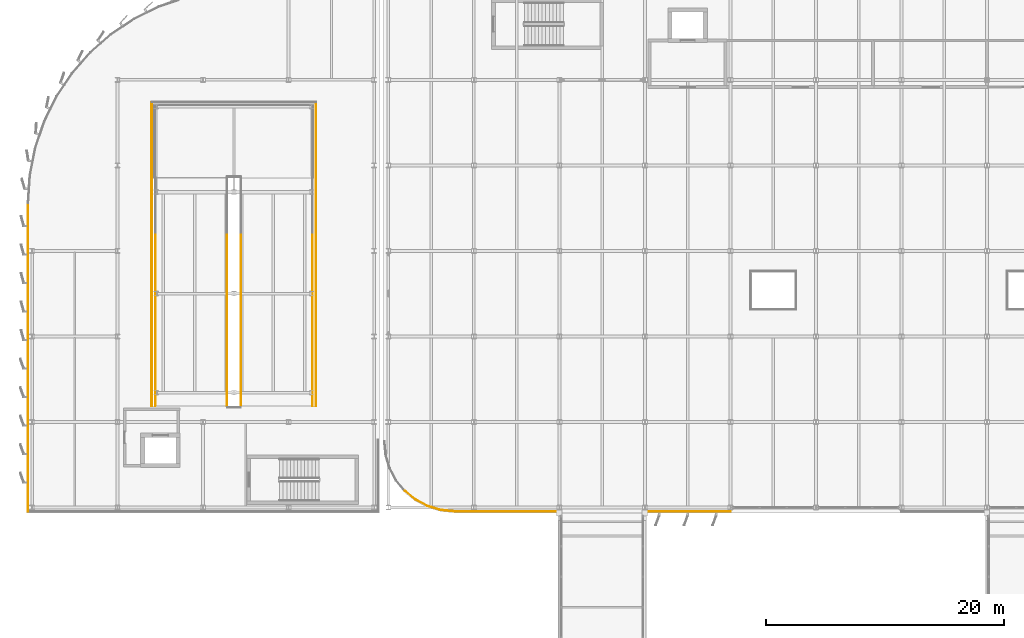
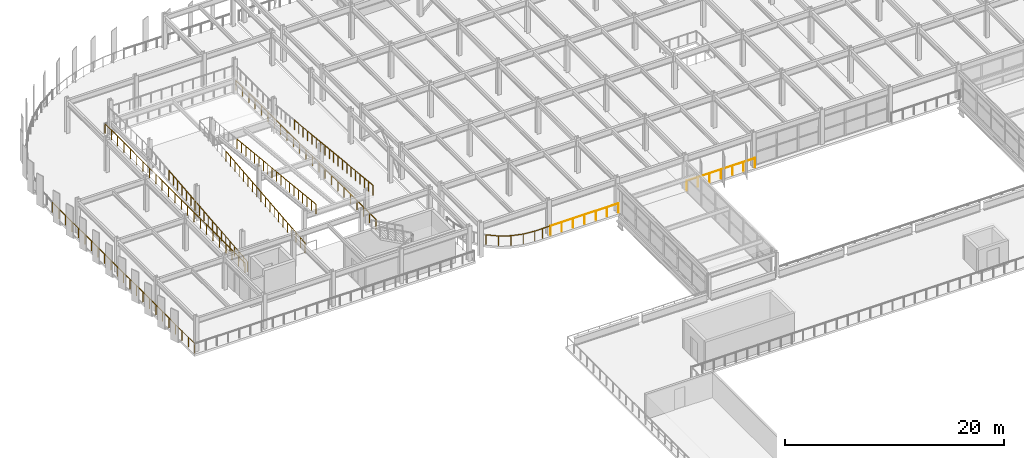
# One storey, part 79 of 93: 22 railings.
"""IFC4 building model written with IfcOpenShell, lengths in metres."""

from ifc_helpers import new_model, si_unit, direction, frame, origin, origin_2d, place, context, subcontext, project, spatial, circle, extrude, material, layer, layer_set, type_object, element, save


model = new_model("IFC4")

# Units and contexts
model_context = context("Model", 3, precision=1e-05, world=origin(), true_north=direction((0.0, 1.0)))
body_context = subcontext(model_context, "Body", "Model", "MODEL_VIEW")
ifc_project = project(units=[si_unit("LENGTHUNIT", "METRE"), si_unit("AREAUNIT", "SQUARE_METRE"), si_unit("VOLUMEUNIT", "CUBIC_METRE"), si_unit("PLANEANGLEUNIT", "RADIAN"), si_unit("MASSUNIT", "GRAM", prefix="KILO")], contexts=[model_context])

# Site, building, storey
site_placement = place(None, origin())
site = spatial("IfcSite", under=ifc_project, at=site_placement, CompositionType="ELEMENT")
building_placement = place(site_placement, origin())
building = spatial("IfcBuilding", under=site, at=building_placement, Name="Vaelcorin Mobility Hub", CompositionType="ELEMENT")
storey_placement = place(building_placement, frame((0.0, 0.0, 5.39990234375)))
storey = spatial("IfcBuildingStorey", under=building, at=storey_placement, Name="L01", CompositionType="ELEMENT", Elevation=5.39990234375)

# Railings
ifc_material = material(Name="Galvanised structural steel ASTM A36", Category="steel")
ifc_layer = layer(ifc_material, 0.070068359375)
ifc_layer_set = layer_set([ifc_layer], Name="Galvanised structural steel ASTM A36")
railing_type = type_object("IfcRailingType", Name="RL-GUARD-1100", PredefinedType="BALUSTRADE", material=ifc_layer_set)
railing_1_placement = place(storey_placement, frame((37.39208984375, 78.19189453125, 0.0)))
element("IfcRailing", 1, at=railing_1_placement, inside=storey, type_object=railing_type, Name="L01 Perimeter Guard GR-V4-L01-S-01-05", PredefinedType="BALUSTRADE", context=body_context, shape_type="SweptSolid", body=[
    extrude(circle(Radius=0.02392578125, at=origin_2d()), frame((0.0, 0.0, 1.076171875), z_axis=(0.773078698183, -0.634310118487, 0.0), x_axis=(0.634310118487, 0.773078698183, 0.0)), (0.0, 0.0, 1.0), 1.15234375),
    extrude(circle(Radius=0.02099609375, at=origin_2d()), origin(), (0.0, 0.0, 1.0), 1.052001953125),
    extrude(circle(Radius=0.02099609375, at=origin_2d()), frame((0.890869140625, -0.73095703125, 0.0)), (0.0, 0.0, 1.0), 1.052001953125),
])
railing_2_placement = place(storey_placement, frame((38.282958984375, 77.4609375, 0.0)))
element("IfcRailing", 2, at=railing_2_placement, inside=storey, type_object=railing_type, Name="L01 Perimeter Guard GR-V4-L01-S-01-06", PredefinedType="BALUSTRADE", context=body_context, shape_type="SweptSolid", body=[
    extrude(circle(Radius=0.02392578125, at=origin_2d()), frame((0.0, 0.0, 1.076171875), z_axis=(0.882165297003, -0.470939899312, 0.0), x_axis=(0.470939899312, 0.882165297003, 0.0)), (0.0, 0.0, 1.0), 1.15283203125),
    extrude(circle(Radius=0.02099609375, at=origin_2d()), origin(), (0.0, 0.0, 1.0), 1.052001953125),
    extrude(circle(Radius=0.02099609375, at=origin_2d()), frame((1.01708984375, -0.54296875, 0.0)), (0.0, 0.0, 1.0), 1.052001953125),
])
railing_3_placement = place(storey_placement, frame((39.300048828125, 76.91796875, 0.0)))
element("IfcRailing", 3, at=railing_3_placement, inside=storey, type_object=railing_type, Name="L01 Perimeter Guard GR-V4-L01-S-01-07", PredefinedType="BALUSTRADE", context=body_context, shape_type="SweptSolid", body=[
    extrude(circle(Radius=0.02392578125, at=origin_2d()), frame((0.0, 0.0, 1.076171875), z_axis=(0.956853241075, -0.290571634961, 0.0), x_axis=(0.290571634961, 0.956853241075, 0.0)), (0.0, 0.0, 1.0), 1.15283203125),
    extrude(circle(Radius=0.02099609375, at=origin_2d()), origin(), (0.0, 0.0, 1.0), 1.052001953125),
    extrude(circle(Radius=0.02099609375, at=origin_2d()), frame((1.10302734375, -0.3349609375, 0.0)), (0.0, 0.0, 1.0), 1.052001953125),
])
railing_4_placement = place(storey_placement, frame((40.403076171875, 76.5830078125, 0.0)))
element("IfcRailing", 4, at=railing_4_placement, inside=storey, type_object=railing_type, Name="L01 Perimeter Guard GR-V4-L01-S-01-08", PredefinedType="BALUSTRADE", context=body_context, shape_type="SweptSolid", body=[
    extrude(circle(Radius=0.02392578125, at=origin_2d()), frame((0.0, 0.0, 1.076171875), z_axis=(0.995178786561, -0.098077432562, 0.0), x_axis=(0.098077432562, 0.995178786561, 0.0)), (0.0, 0.0, 1.0), 1.152587890625),
    extrude(circle(Radius=0.02099609375, at=origin_2d()), origin(), (0.0, 0.0, 1.0), 1.052001953125),
    extrude(circle(Radius=0.02099609375, at=origin_2d()), frame((1.14697265625, -0.113037109375, 0.0)), (0.0, 0.0, 1.0), 1.052001953125),
])
railing_5_placement = place(storey_placement, frame((41.550048828125, 76.469970703125, 0.0)))
element("IfcRailing", 5, at=railing_5_placement, inside=storey, type_object=railing_type, Name="L01 Perimeter Guard GR-V4-L01-S-01-09", PredefinedType="BALUSTRADE", context=body_context, shape_type="SweptSolid", body=[
    extrude(circle(Radius=0.02392578125, at=origin_2d()), frame((0.0, 0.0, 1.076171875), z_axis=(1.0, 0.0, 0.0), x_axis=(0.0, 1.0, 0.0)), (0.0, 0.0, 1.0), 1.64990234375),
    extrude(circle(Radius=0.02099609375, at=origin_2d()), origin(), (0.0, 0.0, 1.0), 1.052001953125),
    extrude(circle(Radius=0.02099609375, at=origin_2d()), frame((0.824951171875, 0.0, 0.0)), (0.0, 0.0, 1.0), 1.052001953125),
    extrude(circle(Radius=0.02099609375, at=origin_2d()), frame((1.64990234375, 0.0, 0.0)), (0.0, 0.0, 1.0), 1.052001953125),
])
for number, where, name in (
    (6, (43.199951171875, 76.469970703125, 0.0), "L01 Perimeter Guard GR-V4-L01-S-02-01"),
    (7, (57.60009765625, 76.469970703125, 0.0), "L01 Perimeter Guard GR-V4-L01-S-04-01"),
):
    element("IfcRailing", number, at=place(storey_placement, frame(where)), inside=storey, type_object=railing_type, Name=name, PredefinedType="BALUSTRADE", context=body_context, shape_type="SweptSolid", body=[
        extrude(circle(Radius=0.02392578125, at=origin_2d()), frame((0.0, 0.0, 1.076171875), z_axis=(1.0, 0.0, 0.0), x_axis=(0.0, 1.0, 0.0)), (0.0, 0.0, 1.0), 7.199951171875),
        extrude(circle(Radius=0.02099609375, at=origin_2d()), origin(), (0.0, 0.0, 1.0), 1.052001953125),
        extrude(circle(Radius=0.02099609375, at=origin_2d()), frame((1.199951171875, 0.0, 0.0)), (0.0, 0.0, 1.0), 1.052001953125),
        extrude(circle(Radius=0.02099609375, at=origin_2d()), frame((2.39990234375, 0.0, 0.0)), (0.0, 0.0, 1.0), 1.052001953125),
        extrude(circle(Radius=0.02099609375, at=origin_2d()), frame((3.60009765625, 0.0, 0.0)), (0.0, 0.0, 1.0), 1.052001953125),
        extrude(circle(Radius=0.02099609375, at=origin_2d()), frame((4.800048828125, 0.0, 0.0)), (0.0, 0.0, 1.0), 1.052001953125),
        extrude(circle(Radius=0.02099609375, at=origin_2d()), frame((6.0, 0.0, 0.0)), (0.0, 0.0, 1.0), 1.052001953125),
        extrude(circle(Radius=0.02099609375, at=origin_2d()), frame((7.199951171875, 0.0, 0.0)), (0.0, 0.0, 1.0), 1.052001953125),
    ])
railing_6_placement = place(storey_placement, frame((16.080078125, 85.340087890625, 0.0)))
element("IfcRailing", 8, at=railing_6_placement, inside=storey, type_object=railing_type, Name="L01 Perimeter Guard GR-V2W-L01-WELL-01", PredefinedType="BALUSTRADE", context=body_context, shape_type="SweptSolid", body=[
    extrude(circle(Radius=0.02392578125, at=origin_2d()), frame((0.0, 0.0, 1.076171875), z_axis=(0.0, 1.0, 0.0), x_axis=(-1.0, 0.0, 0.0)), (0.0, 0.0, 1.0), 25.579833984375),
    extrude(circle(Radius=0.02099609375, at=origin_2d()), origin(), (0.0, 0.0, 1.0), 1.052001953125),
    extrude(circle(Radius=0.02099609375, at=origin_2d()), frame((0.0, 1.16259765625, 0.0)), (0.0, 0.0, 1.0), 1.052001953125),
    extrude(circle(Radius=0.02099609375, at=origin_2d()), frame((0.0, 2.325439453125, 0.0)), (0.0, 0.0, 1.0), 1.052001953125),
    extrude(circle(Radius=0.02099609375, at=origin_2d()), frame((0.0, 3.488037109375, 0.0)), (0.0, 0.0, 1.0), 1.052001953125),
    extrude(circle(Radius=0.02099609375, at=origin_2d()), frame((0.0, 4.65087890625, 0.0)), (0.0, 0.0, 1.0), 1.052001953125),
    extrude(circle(Radius=0.02099609375, at=origin_2d()), frame((0.0, 5.8134765625, 0.0)), (0.0, 0.0, 1.0), 1.052001953125),
    extrude(circle(Radius=0.02099609375, at=origin_2d()), frame((0.0, 6.976318359375, 0.0)), (0.0, 0.0, 1.0), 1.052001953125),
    extrude(circle(Radius=0.02099609375, at=origin_2d()), frame((0.0, 8.13916015625, 0.0)), (0.0, 0.0, 1.0), 1.052001953125),
    extrude(circle(Radius=0.02099609375, at=origin_2d()), frame((0.0, 9.3017578125, 0.0)), (0.0, 0.0, 1.0), 1.052001953125),
    extrude(circle(Radius=0.02099609375, at=origin_2d()), frame((0.0, 10.46435546875, 0.0)), (0.0, 0.0, 1.0), 1.052001953125),
    extrude(circle(Radius=0.02099609375, at=origin_2d()), frame((0.0, 11.627197265625, 0.0)), (0.0, 0.0, 1.0), 1.052001953125),
    extrude(circle(Radius=0.02099609375, at=origin_2d()), frame((0.0, 12.7900390625, 0.0)), (0.0, 0.0, 1.0), 1.052001953125),
    extrude(circle(Radius=0.02099609375, at=origin_2d()), frame((0.0, 13.95263671875, 0.0)), (0.0, 0.0, 1.0), 1.052001953125),
    extrude(circle(Radius=0.02099609375, at=origin_2d()), frame((0.0, 15.115234375, 0.0)), (0.0, 0.0, 1.0), 1.052001953125),
    extrude(circle(Radius=0.02099609375, at=origin_2d()), frame((0.0, 16.278076171875, 0.0)), (0.0, 0.0, 1.0), 1.052001953125),
    extrude(circle(Radius=0.02099609375, at=origin_2d()), frame((0.0, 17.44091796875, 0.0)), (0.0, 0.0, 1.0), 1.052001953125),
    extrude(circle(Radius=0.02099609375, at=origin_2d()), frame((0.0, 18.603515625, 0.0)), (0.0, 0.0, 1.0), 1.052001953125),
    extrude(circle(Radius=0.02099609375, at=origin_2d()), frame((0.0, 19.76611328125, 0.0)), (0.0, 0.0, 1.0), 1.052001953125),
    extrude(circle(Radius=0.02099609375, at=origin_2d()), frame((0.0, 20.928955078125, 0.0)), (0.0, 0.0, 1.0), 1.052001953125),
    extrude(circle(Radius=0.02099609375, at=origin_2d()), frame((0.0, 22.091796875, 0.0)), (0.0, 0.0, 1.0), 1.052001953125),
    extrude(circle(Radius=0.02099609375, at=origin_2d()), frame((0.0, 23.25439453125, 0.0)), (0.0, 0.0, 1.0), 1.052001953125),
    extrude(circle(Radius=0.02099609375, at=origin_2d()), frame((0.0, 24.4169921875, 0.0)), (0.0, 0.0, 1.0), 1.052001953125),
    extrude(circle(Radius=0.02099609375, at=origin_2d()), frame((0.0, 25.579833984375, 0.0)), (0.0, 0.0, 1.0), 1.052001953125),
])
railing_7_placement = place(storey_placement, frame((29.919921875, 110.919921875, 0.0)))
element("IfcRailing", 9, at=railing_7_placement, inside=storey, type_object=railing_type, Name="L01 Perimeter Guard GR-V2W-L01-WELL-03", PredefinedType="BALUSTRADE", context=body_context, shape_type="SweptSolid", body=[
    extrude(circle(Radius=0.02392578125, at=origin_2d()), frame((0.0, 0.0, 1.076171875), z_axis=(0.0, -1.0, 0.0), x_axis=(1.0, 0.0, 0.0)), (0.0, 0.0, 1.0), 25.579833984375),
    extrude(circle(Radius=0.02099609375, at=origin_2d()), origin(), (0.0, 0.0, 1.0), 1.052001953125),
    extrude(circle(Radius=0.02099609375, at=origin_2d()), frame((0.0, -1.16259765625, 0.0)), (0.0, 0.0, 1.0), 1.052001953125),
    extrude(circle(Radius=0.02099609375, at=origin_2d()), frame((0.0, -2.325439453125, 0.0)), (0.0, 0.0, 1.0), 1.052001953125),
    extrude(circle(Radius=0.02099609375, at=origin_2d()), frame((0.0, -3.488037109375, 0.0)), (0.0, 0.0, 1.0), 1.052001953125),
    extrude(circle(Radius=0.02099609375, at=origin_2d()), frame((0.0, -4.65087890625, 0.0)), (0.0, 0.0, 1.0), 1.052001953125),
    extrude(circle(Radius=0.02099609375, at=origin_2d()), frame((0.0, -5.8134765625, 0.0)), (0.0, 0.0, 1.0), 1.052001953125),
    extrude(circle(Radius=0.02099609375, at=origin_2d()), frame((0.0, -6.976318359375, 0.0)), (0.0, 0.0, 1.0), 1.052001953125),
    extrude(circle(Radius=0.02099609375, at=origin_2d()), frame((0.0, -8.13916015625, 0.0)), (0.0, 0.0, 1.0), 1.052001953125),
    extrude(circle(Radius=0.02099609375, at=origin_2d()), frame((0.0, -9.3017578125, 0.0)), (0.0, 0.0, 1.0), 1.052001953125),
    extrude(circle(Radius=0.02099609375, at=origin_2d()), frame((0.0, -10.46435546875, 0.0)), (0.0, 0.0, 1.0), 1.052001953125),
    extrude(circle(Radius=0.02099609375, at=origin_2d()), frame((0.0, -11.627197265625, 0.0)), (0.0, 0.0, 1.0), 1.052001953125),
    extrude(circle(Radius=0.02099609375, at=origin_2d()), frame((0.0, -12.7900390625, 0.0)), (0.0, 0.0, 1.0), 1.052001953125),
    extrude(circle(Radius=0.02099609375, at=origin_2d()), frame((0.0, -13.95263671875, 0.0)), (0.0, 0.0, 1.0), 1.052001953125),
    extrude(circle(Radius=0.02099609375, at=origin_2d()), frame((0.0, -15.115234375, 0.0)), (0.0, 0.0, 1.0), 1.052001953125),
    extrude(circle(Radius=0.02099609375, at=origin_2d()), frame((0.0, -16.278076171875, 0.0)), (0.0, 0.0, 1.0), 1.052001953125),
    extrude(circle(Radius=0.02099609375, at=origin_2d()), frame((0.0, -17.44091796875, 0.0)), (0.0, 0.0, 1.0), 1.052001953125),
    extrude(circle(Radius=0.02099609375, at=origin_2d()), frame((0.0, -18.603515625, 0.0)), (0.0, 0.0, 1.0), 1.052001953125),
    extrude(circle(Radius=0.02099609375, at=origin_2d()), frame((0.0, -19.76611328125, 0.0)), (0.0, 0.0, 1.0), 1.052001953125),
    extrude(circle(Radius=0.02099609375, at=origin_2d()), frame((0.0, -20.928955078125, 0.0)), (0.0, 0.0, 1.0), 1.052001953125),
    extrude(circle(Radius=0.02099609375, at=origin_2d()), frame((0.0, -22.091796875, 0.0)), (0.0, 0.0, 1.0), 1.052001953125),
    extrude(circle(Radius=0.02099609375, at=origin_2d()), frame((0.0, -23.25439453125, 0.0)), (0.0, 0.0, 1.0), 1.052001953125),
    extrude(circle(Radius=0.02099609375, at=origin_2d()), frame((0.0, -24.4169921875, 0.0)), (0.0, 0.0, 1.0), 1.052001953125),
    extrude(circle(Radius=0.02099609375, at=origin_2d()), frame((0.0, -25.579833984375, 0.0)), (0.0, 0.0, 1.0), 1.052001953125),
])
railing_8_placement = place(storey_placement, frame((16.3798828125, 85.360107421875, 0.0)))
element("IfcRailing", 10, at=railing_8_placement, inside=storey, type_object=railing_type, Name="L01 Ramp Guard GR-V2W-L01-FL1-W-01", PredefinedType="BALUSTRADE", context=body_context, shape_type="SweptSolid", body=[
    extrude(circle(Radius=0.02392578125, at=origin_2d()), frame((0.0, 0.0, 1.076171875), z_axis=(0.0, 0.994860105467, 0.10125892825), x_axis=(-1.0, 0.0, 0.0)), (0.0, 0.0, 1.0), 4.819580078125),
    extrude(circle(Radius=0.02099609375, at=origin_2d()), origin(), (0.0, 0.0, 1.0), 1.052001953125),
    extrude(circle(Radius=0.02099609375, at=origin_2d()), frame((0.0, 0.799072265625, 0.081298828125)), (0.0, 0.0, 1.0), 1.052001953125),
    extrude(circle(Radius=0.02099609375, at=origin_2d()), frame((0.0, 1.598388671875, 0.16259765625)), (0.0, 0.0, 1.0), 1.052001953125),
    extrude(circle(Radius=0.02099609375, at=origin_2d()), frame((0.0, 2.3974609375, 0.244140625)), (0.0, 0.0, 1.0), 1.052001953125),
    extrude(circle(Radius=0.02099609375, at=origin_2d()), frame((0.0, 3.196533203125, 0.325439453125)), (0.0, 0.0, 1.0), 1.052001953125),
    extrude(circle(Radius=0.02099609375, at=origin_2d()), frame((0.0, 3.995849609375, 0.40673828125)), (0.0, 0.0, 1.0), 1.052001953125),
    extrude(circle(Radius=0.02099609375, at=origin_2d()), frame((0.0, 4.794921875, 0.488037109375)), (0.0, 0.0, 1.0), 1.052001953125),
])
railing_9_placement = place(storey_placement, frame((16.3798828125, 90.155029296875, 0.488037109375)))
element("IfcRailing", 11, at=railing_9_placement, inside=storey, type_object=railing_type, Name="L01 Ramp Guard GR-V2W-L01-FL1-W-02", PredefinedType="BALUSTRADE", context=body_context, shape_type="SweptSolid", body=[
    extrude(circle(Radius=0.02392578125, at=origin_2d()), frame((0.0, 0.0, 1.076171875), z_axis=(0.0, 0.994880497217, 0.101058380445), x_axis=(-1.0, 0.0, 0.0)), (0.0, 0.0, 1.0), 4.819580078125),
    extrude(circle(Radius=0.02099609375, at=origin_2d()), origin(), (0.0, 0.0, 1.0), 1.052001953125),
    extrude(circle(Radius=0.02099609375, at=origin_2d()), frame((0.0, 0.799072265625, 0.0810546875)), (0.0, 0.0, 1.0), 1.052001953125),
    extrude(circle(Radius=0.02099609375, at=origin_2d()), frame((0.0, 1.598388671875, 0.162353515625)), (0.0, 0.0, 1.0), 1.052001953125),
    extrude(circle(Radius=0.02099609375, at=origin_2d()), frame((0.0, 2.3974609375, 0.24365234375)), (0.0, 0.0, 1.0), 1.052001953125),
    extrude(circle(Radius=0.02099609375, at=origin_2d()), frame((0.0, 3.196533203125, 0.32470703125)), (0.0, 0.0, 1.0), 1.052001953125),
    extrude(circle(Radius=0.02099609375, at=origin_2d()), frame((0.0, 3.995849609375, 0.40576171875)), (0.0, 0.0, 1.0), 1.052001953125),
    extrude(circle(Radius=0.02099609375, at=origin_2d()), frame((0.0, 4.794921875, 0.487060546875)), (0.0, 0.0, 1.0), 1.052001953125),
])
railing_10_placement = place(storey_placement, frame((16.3798828125, 94.949951171875, 0.97509765625)))
element("IfcRailing", 12, at=railing_10_placement, inside=storey, type_object=railing_type, Name="L01 Ramp Guard GR-V2W-L01-FL1-W-03", PredefinedType="BALUSTRADE", context=body_context, shape_type="SweptSolid", body=[
    extrude(circle(Radius=0.02392578125, at=origin_2d()), frame((0.0, 0.0, 1.076171875), z_axis=(0.0, 0.994881014515, 0.101053287712), x_axis=(-1.0, 0.0, 0.0)), (0.0, 0.0, 1.0), 4.81982421875),
    extrude(circle(Radius=0.02099609375, at=origin_2d()), origin(), (0.0, 0.0, 1.0), 1.052001953125),
    extrude(circle(Radius=0.02099609375, at=origin_2d()), frame((0.0, 0.79931640625, 0.0810546875)), (0.0, 0.0, 1.0), 1.052001953125),
    extrude(circle(Radius=0.02099609375, at=origin_2d()), frame((0.0, 1.598388671875, 0.162353515625)), (0.0, 0.0, 1.0), 1.052001953125),
    extrude(circle(Radius=0.02099609375, at=origin_2d()), frame((0.0, 2.3974609375, 0.24365234375)), (0.0, 0.0, 1.0), 1.052001953125),
    extrude(circle(Radius=0.02099609375, at=origin_2d()), frame((0.0, 3.19677734375, 0.32470703125)), (0.0, 0.0, 1.0), 1.052001953125),
    extrude(circle(Radius=0.02099609375, at=origin_2d()), frame((0.0, 3.99609375, 0.40576171875)), (0.0, 0.0, 1.0), 1.052001953125),
    extrude(circle(Radius=0.02099609375, at=origin_2d()), frame((0.0, 4.795166015625, 0.487060546875)), (0.0, 0.0, 1.0), 1.052001953125),
])
railing_11_placement = place(storey_placement, frame((22.419921875, 85.360107421875, 0.0)))
element("IfcRailing", 13, at=railing_11_placement, inside=storey, type_object=railing_type, Name="L01 Ramp Guard GR-V2W-L01-FL1-E-01", PredefinedType="BALUSTRADE", context=body_context, shape_type="SweptSolid", body=[
    extrude(circle(Radius=0.02392578125, at=origin_2d()), frame((0.0, 0.0, 1.076171875), z_axis=(0.0, 0.994860105467, 0.10125892825), x_axis=(-1.0, 0.0, 0.0)), (0.0, 0.0, 1.0), 4.819580078125),
    extrude(circle(Radius=0.02099609375, at=origin_2d()), origin(), (0.0, 0.0, 1.0), 1.052001953125),
    extrude(circle(Radius=0.02099609375, at=origin_2d()), frame((0.0, 0.799072265625, 0.081298828125)), (0.0, 0.0, 1.0), 1.052001953125),
    extrude(circle(Radius=0.02099609375, at=origin_2d()), frame((0.0, 1.598388671875, 0.16259765625)), (0.0, 0.0, 1.0), 1.052001953125),
    extrude(circle(Radius=0.02099609375, at=origin_2d()), frame((0.0, 2.3974609375, 0.244140625)), (0.0, 0.0, 1.0), 1.052001953125),
    extrude(circle(Radius=0.02099609375, at=origin_2d()), frame((0.0, 3.196533203125, 0.325439453125)), (0.0, 0.0, 1.0), 1.052001953125),
    extrude(circle(Radius=0.02099609375, at=origin_2d()), frame((0.0, 3.995849609375, 0.40673828125)), (0.0, 0.0, 1.0), 1.052001953125),
    extrude(circle(Radius=0.02099609375, at=origin_2d()), frame((0.0, 4.794921875, 0.488037109375)), (0.0, 0.0, 1.0), 1.052001953125),
])
railing_12_placement = place(storey_placement, frame((22.419921875, 90.155029296875, 0.488037109375)))
element("IfcRailing", 14, at=railing_12_placement, inside=storey, type_object=railing_type, Name="L01 Ramp Guard GR-V2W-L01-FL1-E-02", PredefinedType="BALUSTRADE", context=body_context, shape_type="SweptSolid", body=[
    extrude(circle(Radius=0.02392578125, at=origin_2d()), frame((0.0, 0.0, 1.076171875), z_axis=(0.0, 0.994880497217, 0.101058380445), x_axis=(-1.0, 0.0, 0.0)), (0.0, 0.0, 1.0), 4.819580078125),
    extrude(circle(Radius=0.02099609375, at=origin_2d()), origin(), (0.0, 0.0, 1.0), 1.052001953125),
    extrude(circle(Radius=0.02099609375, at=origin_2d()), frame((0.0, 0.799072265625, 0.0810546875)), (0.0, 0.0, 1.0), 1.052001953125),
    extrude(circle(Radius=0.02099609375, at=origin_2d()), frame((0.0, 1.598388671875, 0.162353515625)), (0.0, 0.0, 1.0), 1.052001953125),
    extrude(circle(Radius=0.02099609375, at=origin_2d()), frame((0.0, 2.3974609375, 0.24365234375)), (0.0, 0.0, 1.0), 1.052001953125),
    extrude(circle(Radius=0.02099609375, at=origin_2d()), frame((0.0, 3.196533203125, 0.32470703125)), (0.0, 0.0, 1.0), 1.052001953125),
    extrude(circle(Radius=0.02099609375, at=origin_2d()), frame((0.0, 3.995849609375, 0.40576171875)), (0.0, 0.0, 1.0), 1.052001953125),
    extrude(circle(Radius=0.02099609375, at=origin_2d()), frame((0.0, 4.794921875, 0.487060546875)), (0.0, 0.0, 1.0), 1.052001953125),
])
railing_13_placement = place(storey_placement, frame((22.419921875, 94.949951171875, 0.97509765625)))
element("IfcRailing", 15, at=railing_13_placement, inside=storey, type_object=railing_type, Name="L01 Ramp Guard GR-V2W-L01-FL1-E-03", PredefinedType="BALUSTRADE", context=body_context, shape_type="SweptSolid", body=[
    extrude(circle(Radius=0.02392578125, at=origin_2d()), frame((0.0, 0.0, 1.076171875), z_axis=(0.0, 0.994881014515, 0.101053287712), x_axis=(-1.0, 0.0, 0.0)), (0.0, 0.0, 1.0), 4.81982421875),
    extrude(circle(Radius=0.02099609375, at=origin_2d()), origin(), (0.0, 0.0, 1.0), 1.052001953125),
    extrude(circle(Radius=0.02099609375, at=origin_2d()), frame((0.0, 0.79931640625, 0.0810546875)), (0.0, 0.0, 1.0), 1.052001953125),
    extrude(circle(Radius=0.02099609375, at=origin_2d()), frame((0.0, 1.598388671875, 0.162353515625)), (0.0, 0.0, 1.0), 1.052001953125),
    extrude(circle(Radius=0.02099609375, at=origin_2d()), frame((0.0, 2.3974609375, 0.24365234375)), (0.0, 0.0, 1.0), 1.052001953125),
    extrude(circle(Radius=0.02099609375, at=origin_2d()), frame((0.0, 3.19677734375, 0.32470703125)), (0.0, 0.0, 1.0), 1.052001953125),
    extrude(circle(Radius=0.02099609375, at=origin_2d()), frame((0.0, 3.99609375, 0.40576171875)), (0.0, 0.0, 1.0), 1.052001953125),
    extrude(circle(Radius=0.02099609375, at=origin_2d()), frame((0.0, 4.795166015625, 0.487060546875)), (0.0, 0.0, 1.0), 1.052001953125),
])
railing_14_placement = place(storey_placement, frame((23.580078125, 99.7451171875, 2.43798828125)))
element("IfcRailing", 16, at=railing_14_placement, inside=storey, type_object=railing_type, Name="L01 Ramp Guard GR-V2W-L01-FL2-W-02", PredefinedType="BALUSTRADE", context=body_context, shape_type="SweptSolid", body=[
    extrude(circle(Radius=0.02392578125, at=origin_2d()), frame((0.0, 0.0, 1.076171875), z_axis=(0.0, -0.994881014515, 0.101053287712), x_axis=(1.0, 0.0, 0.0)), (0.0, 0.0, 1.0), 4.81982421875),
    extrude(circle(Radius=0.02099609375, at=origin_2d()), origin(), (0.0, 0.0, 1.0), 1.052001953125),
    extrude(circle(Radius=0.02099609375, at=origin_2d()), frame((0.0, -0.79931640625, 0.0810546875)), (0.0, 0.0, 1.0), 1.052001953125),
    extrude(circle(Radius=0.02099609375, at=origin_2d()), frame((0.0, -1.598388671875, 0.162353515625)), (0.0, 0.0, 1.0), 1.052001953125),
    extrude(circle(Radius=0.02099609375, at=origin_2d()), frame((0.0, -2.3974609375, 0.24365234375)), (0.0, 0.0, 1.0), 1.052001953125),
    extrude(circle(Radius=0.02099609375, at=origin_2d()), frame((0.0, -3.19677734375, 0.32470703125)), (0.0, 0.0, 1.0), 1.052001953125),
    extrude(circle(Radius=0.02099609375, at=origin_2d()), frame((0.0, -3.99609375, 0.40576171875)), (0.0, 0.0, 1.0), 1.052001953125),
    extrude(circle(Radius=0.02099609375, at=origin_2d()), frame((0.0, -4.795166015625, 0.487060546875)), (0.0, 0.0, 1.0), 1.052001953125),
])
railing_15_placement = place(storey_placement, frame((23.580078125, 94.949951171875, 2.925048828125)))
element("IfcRailing", 17, at=railing_15_placement, inside=storey, type_object=railing_type, Name="L01 Ramp Guard GR-V2W-L01-FL2-W-03", PredefinedType="BALUSTRADE", context=body_context, shape_type="SweptSolid", body=[
    extrude(circle(Radius=0.02392578125, at=origin_2d()), frame((0.0, 0.0, 1.076171875), z_axis=(0.0, -0.994880497217, 0.101058380445), x_axis=(1.0, 0.0, 0.0)), (0.0, 0.0, 1.0), 4.819580078125),
    extrude(circle(Radius=0.02099609375, at=origin_2d()), origin(), (0.0, 0.0, 1.0), 1.052001953125),
    extrude(circle(Radius=0.02099609375, at=origin_2d()), frame((0.0, -0.799072265625, 0.0810546875)), (0.0, 0.0, 1.0), 1.052001953125),
    extrude(circle(Radius=0.02099609375, at=origin_2d()), frame((0.0, -1.598388671875, 0.162353515625)), (0.0, 0.0, 1.0), 1.052001953125),
    extrude(circle(Radius=0.02099609375, at=origin_2d()), frame((0.0, -2.3974609375, 0.24365234375)), (0.0, 0.0, 1.0), 1.052001953125),
    extrude(circle(Radius=0.02099609375, at=origin_2d()), frame((0.0, -3.196533203125, 0.32470703125)), (0.0, 0.0, 1.0), 1.052001953125),
    extrude(circle(Radius=0.02099609375, at=origin_2d()), frame((0.0, -3.995849609375, 0.40576171875)), (0.0, 0.0, 1.0), 1.052001953125),
    extrude(circle(Radius=0.02099609375, at=origin_2d()), frame((0.0, -4.794921875, 0.487060546875)), (0.0, 0.0, 1.0), 1.052001953125),
])
railing_16_placement = place(storey_placement, frame((23.580078125, 90.155029296875, 3.412109375)))
element("IfcRailing", 18, at=railing_16_placement, inside=storey, type_object=railing_type, Name="L01 Ramp Guard GR-V2W-L01-FL2-W-04", PredefinedType="BALUSTRADE", context=body_context, shape_type="SweptSolid", body=[
    extrude(circle(Radius=0.02392578125, at=origin_2d()), frame((0.0, 0.0, 1.076171875), z_axis=(0.0, -0.994860105467, 0.10125892825), x_axis=(1.0, 0.0, 0.0)), (0.0, 0.0, 1.0), 4.819580078125),
    extrude(circle(Radius=0.02099609375, at=origin_2d()), origin(), (0.0, 0.0, 1.0), 1.052001953125),
    extrude(circle(Radius=0.02099609375, at=origin_2d()), frame((0.0, -0.799072265625, 0.081298828125)), (0.0, 0.0, 1.0), 1.052001953125),
    extrude(circle(Radius=0.02099609375, at=origin_2d()), frame((0.0, -1.598388671875, 0.16259765625)), (0.0, 0.0, 1.0), 1.052001953125),
    extrude(circle(Radius=0.02099609375, at=origin_2d()), frame((0.0, -2.3974609375, 0.244140625)), (0.0, 0.0, 1.0), 1.052001953125),
    extrude(circle(Radius=0.02099609375, at=origin_2d()), frame((0.0, -3.196533203125, 0.325439453125)), (0.0, 0.0, 1.0), 1.052001953125),
    extrude(circle(Radius=0.02099609375, at=origin_2d()), frame((0.0, -3.995849609375, 0.40673828125)), (0.0, 0.0, 1.0), 1.052001953125),
    extrude(circle(Radius=0.02099609375, at=origin_2d()), frame((0.0, -4.794921875, 0.488037109375)), (0.0, 0.0, 1.0), 1.052001953125),
])
railing_17_placement = place(storey_placement, frame((29.6201171875, 99.7451171875, 2.43798828125)))
element("IfcRailing", 19, at=railing_17_placement, inside=storey, type_object=railing_type, Name="L01 Ramp Guard GR-V2W-L01-FL2-E-02", PredefinedType="BALUSTRADE", context=body_context, shape_type="SweptSolid", body=[
    extrude(circle(Radius=0.02392578125, at=origin_2d()), frame((0.0, 0.0, 1.076171875), z_axis=(0.0, -0.994881014515, 0.101053287712), x_axis=(1.0, 0.0, 0.0)), (0.0, 0.0, 1.0), 4.81982421875),
    extrude(circle(Radius=0.02099609375, at=origin_2d()), origin(), (0.0, 0.0, 1.0), 1.052001953125),
    extrude(circle(Radius=0.02099609375, at=origin_2d()), frame((0.0, -0.79931640625, 0.0810546875)), (0.0, 0.0, 1.0), 1.052001953125),
    extrude(circle(Radius=0.02099609375, at=origin_2d()), frame((0.0, -1.598388671875, 0.162353515625)), (0.0, 0.0, 1.0), 1.052001953125),
    extrude(circle(Radius=0.02099609375, at=origin_2d()), frame((0.0, -2.3974609375, 0.24365234375)), (0.0, 0.0, 1.0), 1.052001953125),
    extrude(circle(Radius=0.02099609375, at=origin_2d()), frame((0.0, -3.19677734375, 0.32470703125)), (0.0, 0.0, 1.0), 1.052001953125),
    extrude(circle(Radius=0.02099609375, at=origin_2d()), frame((0.0, -3.99609375, 0.40576171875)), (0.0, 0.0, 1.0), 1.052001953125),
    extrude(circle(Radius=0.02099609375, at=origin_2d()), frame((0.0, -4.795166015625, 0.487060546875)), (0.0, 0.0, 1.0), 1.052001953125),
])
railing_18_placement = place(storey_placement, frame((29.6201171875, 94.949951171875, 2.925048828125)))
element("IfcRailing", 20, at=railing_18_placement, inside=storey, type_object=railing_type, Name="L01 Ramp Guard GR-V2W-L01-FL2-E-03", PredefinedType="BALUSTRADE", context=body_context, shape_type="SweptSolid", body=[
    extrude(circle(Radius=0.02392578125, at=origin_2d()), frame((0.0, 0.0, 1.076171875), z_axis=(0.0, -0.994880497217, 0.101058380445), x_axis=(1.0, 0.0, 0.0)), (0.0, 0.0, 1.0), 4.819580078125),
    extrude(circle(Radius=0.02099609375, at=origin_2d()), origin(), (0.0, 0.0, 1.0), 1.052001953125),
    extrude(circle(Radius=0.02099609375, at=origin_2d()), frame((0.0, -0.799072265625, 0.0810546875)), (0.0, 0.0, 1.0), 1.052001953125),
    extrude(circle(Radius=0.02099609375, at=origin_2d()), frame((0.0, -1.598388671875, 0.162353515625)), (0.0, 0.0, 1.0), 1.052001953125),
    extrude(circle(Radius=0.02099609375, at=origin_2d()), frame((0.0, -2.3974609375, 0.24365234375)), (0.0, 0.0, 1.0), 1.052001953125),
    extrude(circle(Radius=0.02099609375, at=origin_2d()), frame((0.0, -3.196533203125, 0.32470703125)), (0.0, 0.0, 1.0), 1.052001953125),
    extrude(circle(Radius=0.02099609375, at=origin_2d()), frame((0.0, -3.995849609375, 0.40576171875)), (0.0, 0.0, 1.0), 1.052001953125),
    extrude(circle(Radius=0.02099609375, at=origin_2d()), frame((0.0, -4.794921875, 0.487060546875)), (0.0, 0.0, 1.0), 1.052001953125),
])
railing_19_placement = place(storey_placement, frame((29.6201171875, 90.155029296875, 3.412109375)))
element("IfcRailing", 21, at=railing_19_placement, inside=storey, type_object=railing_type, Name="L01 Ramp Guard GR-V2W-L01-FL2-E-04", PredefinedType="BALUSTRADE", context=body_context, shape_type="SweptSolid", body=[
    extrude(circle(Radius=0.02392578125, at=origin_2d()), frame((0.0, 0.0, 1.076171875), z_axis=(0.0, -0.994860105467, 0.10125892825), x_axis=(1.0, 0.0, 0.0)), (0.0, 0.0, 1.0), 4.819580078125),
    extrude(circle(Radius=0.02099609375, at=origin_2d()), origin(), (0.0, 0.0, 1.0), 1.052001953125),
    extrude(circle(Radius=0.02099609375, at=origin_2d()), frame((0.0, -0.799072265625, 0.081298828125)), (0.0, 0.0, 1.0), 1.052001953125),
    extrude(circle(Radius=0.02099609375, at=origin_2d()), frame((0.0, -1.598388671875, 0.16259765625)), (0.0, 0.0, 1.0), 1.052001953125),
    extrude(circle(Radius=0.02099609375, at=origin_2d()), frame((0.0, -2.3974609375, 0.244140625)), (0.0, 0.0, 1.0), 1.052001953125),
    extrude(circle(Radius=0.02099609375, at=origin_2d()), frame((0.0, -3.196533203125, 0.325439453125)), (0.0, 0.0, 1.0), 1.052001953125),
    extrude(circle(Radius=0.02099609375, at=origin_2d()), frame((0.0, -3.995849609375, 0.40673828125)), (0.0, 0.0, 1.0), 1.052001953125),
    extrude(circle(Radius=0.02099609375, at=origin_2d()), frame((0.0, -4.794921875, 0.488037109375)), (0.0, 0.0, 1.0), 1.052001953125),
])
railing_20_placement = place(storey_placement, frame((5.669921875, 76.469970703125, 0.0)))
element("IfcRailing", 22, at=railing_20_placement, inside=storey, type_object=railing_type, Name="L01 Perimeter Guard GR-V2W-L01-03", PredefinedType="BALUSTRADE", context=body_context, shape_type="SweptSolid", body=[
    extrude(circle(Radius=0.02392578125, at=origin_2d()), frame((0.0, 0.0, 1.076171875), z_axis=(0.0, 1.0, 0.0), x_axis=(-1.0, 0.0, 0.0)), (0.0, 0.0, 1.0), 25.97998046875),
    extrude(circle(Radius=0.02099609375, at=origin_2d()), origin(), (0.0, 0.0, 1.0), 1.052001953125),
    extrude(circle(Radius=0.02099609375, at=origin_2d()), frame((0.0, 1.180908203125, 0.0)), (0.0, 0.0, 1.0), 1.052001953125),
    extrude(circle(Radius=0.02099609375, at=origin_2d()), frame((0.0, 2.36181640625, 0.0)), (0.0, 0.0, 1.0), 1.052001953125),
    extrude(circle(Radius=0.02099609375, at=origin_2d()), frame((0.0, 3.542724609375, 0.0)), (0.0, 0.0, 1.0), 1.052001953125),
    extrude(circle(Radius=0.02099609375, at=origin_2d()), frame((0.0, 4.7236328125, 0.0)), (0.0, 0.0, 1.0), 1.052001953125),
    extrude(circle(Radius=0.02099609375, at=origin_2d()), frame((0.0, 5.904541015625, 0.0)), (0.0, 0.0, 1.0), 1.052001953125),
    extrude(circle(Radius=0.02099609375, at=origin_2d()), frame((0.0, 7.08544921875, 0.0)), (0.0, 0.0, 1.0), 1.052001953125),
    extrude(circle(Radius=0.02099609375, at=origin_2d()), frame((0.0, 8.266357421875, 0.0)), (0.0, 0.0, 1.0), 1.052001953125),
    extrude(circle(Radius=0.02099609375, at=origin_2d()), frame((0.0, 9.447265625, 0.0)), (0.0, 0.0, 1.0), 1.052001953125),
    extrude(circle(Radius=0.02099609375, at=origin_2d()), frame((0.0, 10.628173828125, 0.0)), (0.0, 0.0, 1.0), 1.052001953125),
    extrude(circle(Radius=0.02099609375, at=origin_2d()), frame((0.0, 11.80908203125, 0.0)), (0.0, 0.0, 1.0), 1.052001953125),
    extrude(circle(Radius=0.02099609375, at=origin_2d()), frame((0.0, 12.989990234375, 0.0)), (0.0, 0.0, 1.0), 1.052001953125),
    extrude(circle(Radius=0.02099609375, at=origin_2d()), frame((0.0, 14.1708984375, 0.0)), (0.0, 0.0, 1.0), 1.052001953125),
    extrude(circle(Radius=0.02099609375, at=origin_2d()), frame((0.0, 15.351806640625, 0.0)), (0.0, 0.0, 1.0), 1.052001953125),
    extrude(circle(Radius=0.02099609375, at=origin_2d()), frame((0.0, 16.53271484375, 0.0)), (0.0, 0.0, 1.0), 1.052001953125),
    extrude(circle(Radius=0.02099609375, at=origin_2d()), frame((0.0, 17.713623046875, 0.0)), (0.0, 0.0, 1.0), 1.052001953125),
    extrude(circle(Radius=0.02099609375, at=origin_2d()), frame((0.0, 18.89453125, 0.0)), (0.0, 0.0, 1.0), 1.052001953125),
    extrude(circle(Radius=0.02099609375, at=origin_2d()), frame((0.0, 20.075439453125, 0.0)), (0.0, 0.0, 1.0), 1.052001953125),
    extrude(circle(Radius=0.02099609375, at=origin_2d()), frame((0.0, 21.25634765625, 0.0)), (0.0, 0.0, 1.0), 1.052001953125),
    extrude(circle(Radius=0.02099609375, at=origin_2d()), frame((0.0, 22.437255859375, 0.0)), (0.0, 0.0, 1.0), 1.052001953125),
    extrude(circle(Radius=0.02099609375, at=origin_2d()), frame((0.0, 23.6181640625, 0.0)), (0.0, 0.0, 1.0), 1.052001953125),
    extrude(circle(Radius=0.02099609375, at=origin_2d()), frame((0.0, 24.799072265625, 0.0)), (0.0, 0.0, 1.0), 1.052001953125),
    extrude(circle(Radius=0.02099609375, at=origin_2d()), frame((0.0, 25.97998046875, 0.0)), (0.0, 0.0, 1.0), 1.052001953125),
])

save(model, "model.ifc")
